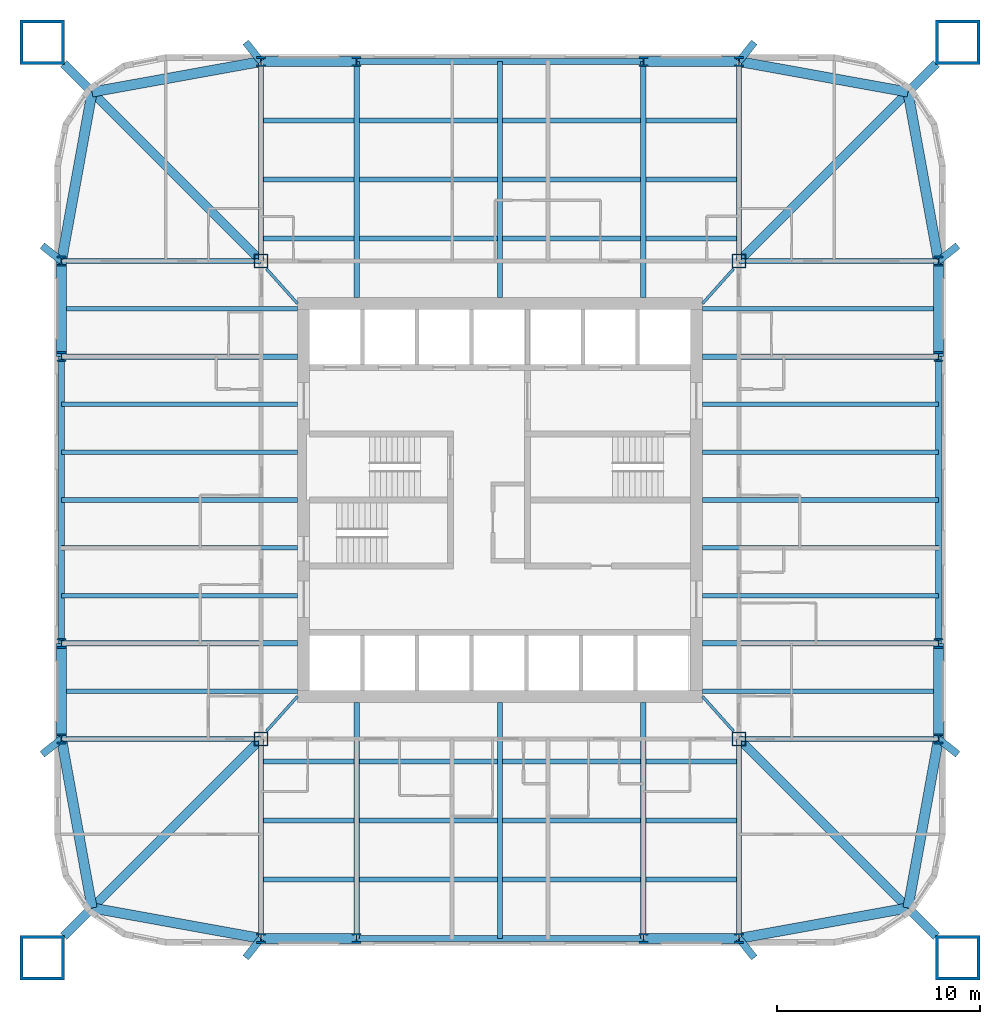
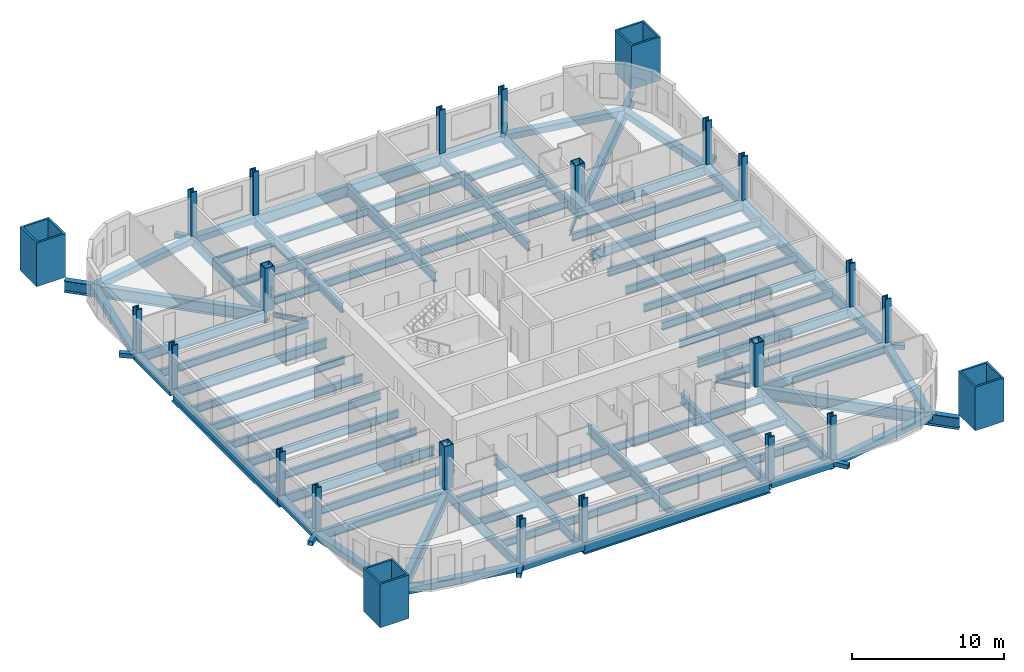
# One storey, part 1 of 9: 92 beams, 24 columns.
"""IFC4 building model written with IfcOpenShell, lengths in metres."""

from ifc_helpers import new_model, si_unit, direction, frame, origin, origin_2d, place, context, subcontext, project, spatial, hollow_rectangle, i_section, extrude, material, material_profile, profile_set, type_object, element, save


model = new_model("IFC4")

# Units and contexts
model_context = context("Model", 3, precision=1e-05, world=origin(), true_north=direction((0.0, 1.0)))
body_context = subcontext(model_context, "Body", "Model", "MODEL_VIEW")
ifc_project = project(units=[si_unit("LENGTHUNIT", "METRE"), si_unit("AREAUNIT", "SQUARE_METRE"), si_unit("VOLUMEUNIT", "CUBIC_METRE"), si_unit("PLANEANGLEUNIT", "RADIAN"), si_unit("MASSUNIT", "GRAM", prefix="KILO")], contexts=[model_context])

# Site, building, storey
site_placement = place(None, origin())
site = spatial("IfcSite", under=ifc_project, at=site_placement, CompositionType="ELEMENT")
building_placement = place(site_placement, origin())
building = spatial("IfcBuilding", under=site, at=building_placement, Name="Turquesa Mirador Hotel Tower", CompositionType="ELEMENT")
storey_placement = place(building_placement, frame((0.0, 0.0, 74.0)))
storey = spatial("IfcBuildingStorey", under=building, at=storey_placement, Name="L19", CompositionType="ELEMENT", Elevation=74.0)

# Columns
ifc_material_1 = material(Name="Steel ASTM A572 Grade 50", Category="steel")
ifc_material_profile_1 = material_profile(ifc_material_1, hollow_rectangle(XDim=0.699951171875, YDim=0.699951171875, WallThickness=0.06005859375, at=origin_2d()), Name="BOX700X700X60")
ifc_profile_set_1 = profile_set([ifc_material_profile_1], Name="Steel ASTM A572 Grade 50")
column_type_1 = type_object("IfcColumnType", Name="COLUMN BOX700X700X60", PredefinedType="COLUMN", material=ifc_profile_set_1)
for number, where, z_axis, x_axis, name in (
    (1, (43.199951171875, 33.199951171875, 0.0), (0.0, 0.0, 1.0), (1.0, 0.0, 0.0), "COL-L19-K--11.80--11.80"),
    (2, (43.199951171875, 56.800048828125, 0.0), (0.0, 0.0, 1.0), (1.0, 0.0, 0.0), "COL-L19-K--11.80-+11.80"),
    (3, (66.800048828125, 33.199951171875, 0.0), (0.0, 0.0, 1.0), (1.0, 0.0, 0.0), "COL-L19-K-+11.80--11.80"),
    (4, (66.800048828125, 56.800048828125, 0.0), (0.0, 0.0, 1.0), (1.0, 0.0, 0.0), "COL-L19-K-+11.80-+11.80"),
):
    element("IfcColumn", number, at=place(storey_placement, frame(where, z_axis=z_axis, x_axis=x_axis)), inside=storey, type_object=column_type_1, Name=name, PredefinedType="COLUMN", context=body_context, shape_type="SweptSolid", body=[
        extrude(hollow_rectangle(XDim=0.699951171875, YDim=0.699951171875, WallThickness=0.06005859375, at=origin_2d()), origin(), (0.0, 0.0, 1.0), 3.5),
    ])
ifc_material_2 = material(Name="Steel ASTM A992 Grade 50", Category="steel")
ifc_material_profile_2 = material_profile(ifc_material_2, i_section(OverallWidth=0.431884765625, OverallDepth=0.497802734375, WebThickness=0.0556640625, FlangeThickness=0.0888671875, at=origin_2d()), Name="W14X500")
ifc_profile_set_2 = profile_set([ifc_material_profile_2], Name="Steel ASTM A992 Grade 50")
column_type_2 = type_object("IfcColumnType", Name="COLUMN W14X500", PredefinedType="COLUMN", material=ifc_profile_set_2)
for number, where, z_axis, x_axis, name in (
    (5, (33.35009765625, 33.199951171875, 0.0), (0.0, 0.0, 1.0), (1.0, 0.0, 0.0), "COL-L19-P--21.65--11.80"),
    (6, (33.35009765625, 37.919921875, 0.0), (0.0, 0.0, 1.0), (1.0, 0.0, 0.0), "COL-L19-P--21.65--7.08"),
    (7, (33.35009765625, 52.080078125, 0.0), (0.0, 0.0, 1.0), (1.0, 0.0, 0.0), "COL-L19-P--21.65-+7.08"),
    (8, (33.35009765625, 56.800048828125, 0.0), (0.0, 0.0, 1.0), (1.0, 0.0, 0.0), "COL-L19-P--21.65-+11.80"),
    (9, (43.199951171875, 23.35009765625, 0.0), (0.0, 0.0, 1.0), (1.0, 0.0, 0.0), "COL-L19-P--11.80--21.65"),
    (10, (43.199951171875, 66.64990234375, 0.0), (0.0, 0.0, 1.0), (1.0, 0.0, 0.0), "COL-L19-P--11.80-+21.65"),
    (11, (47.919921875, 23.35009765625, 0.0), (0.0, 0.0, 1.0), (1.0, 0.0, 0.0), "COL-L19-P--7.08--21.65"),
    (12, (47.919921875, 66.64990234375, 0.0), (0.0, 0.0, 1.0), (1.0, 0.0, 0.0), "COL-L19-P--7.08-+21.65"),
    (13, (62.080078125, 23.35009765625, 0.0), (0.0, 0.0, 1.0), (1.0, 0.0, 0.0), "COL-L19-P-+7.08--21.65"),
    (14, (62.080078125, 66.64990234375, 0.0), (0.0, 0.0, 1.0), (1.0, 0.0, 0.0), "COL-L19-P-+7.08-+21.65"),
    (15, (66.800048828125, 23.35009765625, 0.0), (0.0, 0.0, 1.0), (1.0, 0.0, 0.0), "COL-L19-P-+11.80--21.65"),
    (16, (66.800048828125, 66.64990234375, 0.0), (0.0, 0.0, 1.0), (1.0, 0.0, 0.0), "COL-L19-P-+11.80-+21.65"),
    (17, (76.64990234375, 33.199951171875, 0.0), (0.0, 0.0, 1.0), (1.0, 0.0, 0.0), "COL-L19-P-+21.65--11.80"),
    (18, (76.64990234375, 37.919921875, 0.0), (0.0, 0.0, 1.0), (1.0, 0.0, 0.0), "COL-L19-P-+21.65--7.08"),
    (19, (76.64990234375, 52.080078125, 0.0), (0.0, 0.0, 1.0), (1.0, 0.0, 0.0), "COL-L19-P-+21.65-+7.08"),
    (20, (76.64990234375, 56.800048828125, 0.0), (0.0, 0.0, 1.0), (1.0, 0.0, 0.0), "COL-L19-P-+21.65-+11.80"),
):
    element("IfcColumn", number, at=place(storey_placement, frame(where, z_axis=z_axis, x_axis=x_axis)), inside=storey, type_object=column_type_2, Name=name, PredefinedType="COLUMN", context=body_context, shape_type="SweptSolid", body=[
        extrude(i_section(OverallWidth=0.431884765625, OverallDepth=0.497802734375, WebThickness=0.0556640625, FlangeThickness=0.0888671875, at=origin_2d()), origin(), (0.0, 0.0, 1.0), 3.5),
    ])
ifc_material_3 = material(Name="Steel ASTM A514 Grade Q", Category="steel")
ifc_material_profile_3 = material_profile(ifc_material_3, hollow_rectangle(XDim=2.199951171875, YDim=2.199951171875, WallThickness=0.14990234375, at=origin_2d()), Name="BOX2200X2200X150")
ifc_profile_set_3 = profile_set([ifc_material_profile_3], Name="Steel ASTM A514 Grade Q")
column_type_3 = type_object("IfcColumnType", Name="MEGA COLUMN BOX2200X2200X150", PredefinedType="COLUMN", material=ifc_profile_set_3)
for number, where, z_axis, x_axis, name in (
    (21, (77.60009765625, 67.60009765625, 0.0), (0.0, 0.0, 1.0), (1.0, 0.0, 0.0), "Mega column M1"),
    (22, (32.39990234375, 67.60009765625, 0.0), (0.0, 0.0, 1.0), (1.0, 0.0, 0.0), "Mega column M2"),
    (23, (32.39990234375, 22.39990234375, 0.0), (0.0, 0.0, 1.0), (1.0, 0.0, 0.0), "Mega column M3"),
    (24, (77.60009765625, 22.39990234375, 0.0), (0.0, 0.0, 1.0), (1.0, 0.0, 0.0), "Mega column M4"),
):
    element("IfcColumn", number, at=place(storey_placement, frame(where, z_axis=z_axis, x_axis=x_axis)), inside=storey, type_object=column_type_3, Name=name, PredefinedType="COLUMN", context=body_context, shape_type="SweptSolid", body=[
        extrude(hollow_rectangle(XDim=2.199951171875, YDim=2.199951171875, WallThickness=0.14990234375, at=origin_2d()), origin(), (0.0, 0.0, 1.0), 3.5),
    ])

# Beams
ifc_material_4 = material(Name="Steel ASTM A572 Grade 50", Category="steel")
ifc_material_profile_4 = material_profile(ifc_material_4, hollow_rectangle(XDim=0.5, YDim=0.5, WallThickness=0.01611328125, at=origin_2d()), Name="BOX500X500X16")
ifc_profile_set_4 = profile_set([ifc_material_profile_4], Name="Steel ASTM A572 Grade 50")
beam_type_1 = type_object("IfcBeamType", Name="BEAM BOX500X500X16", PredefinedType="BEAM", material=ifc_profile_set_4)
for number, where, z_axis, x_axis, name in (
    (25, (43.199951171875, 66.64990234375, -0.419921875), (1.0, 0.0, 0.0), (0.0, 1.0, 0.0), "EB-L19-N-L"),
    (26, (62.080078125, 66.64990234375, -0.419921875), (1.0, 0.0, 0.0), (0.0, 1.0, 0.0), "EB-L19-N-R"),
    (27, (43.199951171875, 23.35009765625, -0.419921875), (1.0, 0.0, 0.0), (0.0, 1.0, 0.0), "EB-L19-S-L"),
    (28, (62.080078125, 23.35009765625, -0.419921875), (1.0, 0.0, 0.0), (0.0, 1.0, 0.0), "EB-L19-S-R"),
    (29, (76.64990234375, 33.199951171875, -0.419921875), (0.0, 1.0, 0.0), (-1.0, 0.0, 0.0), "EB-L19-E-L"),
    (30, (76.64990234375, 52.080078125, -0.419921875), (0.0, 1.0, 0.0), (-1.0, 0.0, 0.0), "EB-L19-E-R"),
    (31, (33.35009765625, 33.199951171875, -0.419921875), (0.0, 1.0, 0.0), (-1.0, 0.0, 0.0), "EB-L19-W-L"),
    (32, (33.35009765625, 52.080078125, -0.419921875), (0.0, 1.0, 0.0), (-1.0, 0.0, 0.0), "EB-L19-W-R"),
):
    element("IfcBeam", number, at=place(storey_placement, frame(where, z_axis=z_axis, x_axis=x_axis)), inside=storey, type_object=beam_type_1, Name=name, PredefinedType="BEAM", context=body_context, shape_type="SweptSolid", body=[
        extrude(hollow_rectangle(XDim=0.5, YDim=0.5, WallThickness=0.01611328125, at=origin_2d()), origin(), (0.0, 0.0, 1.0), 4.719970703125),
    ])
for number, where, z_axis, x_axis, name in (
    (33, (76.64990234375, 56.800048828125, -0.419921875), (-0.177932387818, 0.984042715214, 0.0), (-0.984042715214, -0.177932387818, 0.0), "KE-L19-1-0"),
    (34, (75.1416015625, 65.1416015625, -0.419921875), (-0.984042715214, 0.177932387818, 0.0), (-0.177932387818, -0.984042715214, 0.0), "KE-L19-1-1"),
    (35, (33.35009765625, 56.800048828125, -0.419921875), (0.177932387818, 0.984042715214, 0.0), (-0.984042715214, 0.177932387818, 0.0), "KE-L19-2-0"),
    (36, (34.8583984375, 65.1416015625, -0.419921875), (0.984042715214, 0.177932387818, 0.0), (-0.177932387818, 0.984042715214, 0.0), "KE-L19-2-1"),
    (37, (33.35009765625, 33.199951171875, -0.419921875), (0.177932387818, -0.984042715214, 0.0), (0.984042715214, 0.177932387818, 0.0), "KE-L19-3-0"),
    (38, (34.8583984375, 24.8583984375, -0.419921875), (0.984042715214, -0.177932387818, 0.0), (0.177932387818, 0.984042715214, 0.0), "KE-L19-3-1"),
    (39, (76.64990234375, 33.199951171875, -0.419921875), (-0.177932387818, -0.984042715214, 0.0), (0.984042715214, -0.177932387818, 0.0), "KE-L19-4-0"),
    (40, (75.1416015625, 24.8583984375, -0.419921875), (-0.984042715214, -0.177932387818, 0.0), (0.177932387818, -0.984042715214, 0.0), "KE-L19-4-1"),
):
    element("IfcBeam", number, at=place(storey_placement, frame(where, z_axis=z_axis, x_axis=x_axis)), inside=storey, type_object=beam_type_1, Name=name, PredefinedType="BEAM", context=body_context, shape_type="SweptSolid", body=[
        extrude(hollow_rectangle(XDim=0.5, YDim=0.5, WallThickness=0.01611328125, at=origin_2d()), origin(), (0.0, 0.0, 1.0), 8.476806640625),
    ])
ifc_material_5 = material(Name="Steel ASTM A992 Grade 50", Category="steel")
ifc_material_profile_5 = material_profile(ifc_material_5, i_section(OverallWidth=0.140380859375, OverallDepth=0.40380859375, WebThickness=0.007080078125, FlangeThickness=0.01123046875, at=origin_2d()), Name="W16X31")
ifc_profile_set_5 = profile_set([ifc_material_profile_5], Name="Steel ASTM A992 Grade 50")
beam_type_2 = type_object("IfcBeamType", Name="BEAM W16X31", PredefinedType="BEAM", material=ifc_profile_set_5)
for number, where, z_axis, x_axis, name in (
    (41, (66.529541015625, 56.40966796875, -0.371826171875), (-0.666745084392, -0.745285846129, 0.0), (0.745285846129, -0.666745084392, 0.0), "KT-L19-1"),
    (42, (43.470458984375, 56.40966796875, -0.371826171875), (0.666745084392, -0.745285846129, 0.0), (0.745285846129, 0.666745084392, 0.0), "KT-L19-2"),
    (43, (43.470458984375, 33.59033203125, -0.371826171875), (0.666745084392, 0.745285846129, 0.0), (-0.745285846129, 0.666745084392, 0.0), "KT-L19-3"),
    (44, (66.529541015625, 33.59033203125, -0.371826171875), (-0.666745084392, 0.745285846129, 0.0), (-0.745285846129, -0.666745084392, 0.0), "KT-L19-4"),
):
    element("IfcBeam", number, at=place(storey_placement, frame(where, z_axis=z_axis, x_axis=x_axis)), inside=storey, type_object=beam_type_2, Name=name, PredefinedType="BEAM", context=body_context, shape_type="SweptSolid", body=[
        extrude(i_section(OverallWidth=0.140380859375, OverallDepth=0.40380859375, WebThickness=0.007080078125, FlangeThickness=0.01123046875, at=origin_2d()), origin(), (0.0, 0.0, 1.0), 2.2939453125),
    ])
ifc_material_6 = material(Name="Steel ASTM A992 Grade 50", Category="steel")
ifc_material_profile_6 = material_profile(ifc_material_6, i_section(OverallWidth=0.228271484375, OverallDepth=0.607177734375, WebThickness=0.01123046875, FlangeThickness=0.017333984375, at=origin_2d()), Name="W24X76")
ifc_profile_set_6 = profile_set([ifc_material_profile_6], Name="Steel ASTM A992 Grade 50")
beam_type_3 = type_object("IfcBeamType", Name="BEAM W24X76", PredefinedType="BEAM", material=ifc_profile_set_6)
beam_1_placement = place(storey_placement, frame((43.333251953125, 57.912109375, -0.4736328125), z_axis=(1.0, 0.0, 0.0), x_axis=(0.0, 1.0, 0.0)))
element("IfcBeam", 45, at=beam_1_placement, inside=storey, type_object=beam_type_3, Name="IB-L19-N-1-0", PredefinedType="BEAM", context=body_context, shape_type="SweptSolid", body=[
    extrude(i_section(OverallWidth=0.228271484375, OverallDepth=0.607177734375, WebThickness=0.01123046875, FlangeThickness=0.017333984375, at=origin_2d()), origin(), (0.0, 0.0, 1.0), 4.453369140625),
])
for number, where, z_axis, x_axis, name in (
    (46, (48.053466796875, 57.912109375, -0.4736328125), (1.0, 0.0, 0.0), (0.0, 1.0, 0.0), "IB-L19-N-1-1"),
    (47, (55.13330078125, 57.912109375, -0.4736328125), (1.0, 0.0, 0.0), (0.0, 1.0, 0.0), "IB-L19-N-1-2"),
):
    element("IfcBeam", number, at=place(storey_placement, frame(where, z_axis=z_axis, x_axis=x_axis)), inside=storey, type_object=beam_type_3, Name=name, PredefinedType="BEAM", context=body_context, shape_type="SweptSolid", body=[
        extrude(i_section(OverallWidth=0.228271484375, OverallDepth=0.607177734375, WebThickness=0.01123046875, FlangeThickness=0.017333984375, at=origin_2d()), origin(), (0.0, 0.0, 1.0), 6.813232421875),
    ])
for number, where, z_axis, x_axis, name in (
    (48, (62.21337890625, 57.912109375, -0.4736328125), (1.0, 0.0, 0.0), (0.0, 1.0, 0.0), "IB-L19-N-1-3"),
    (49, (43.333251953125, 60.824951171875, -0.4736328125), (1.0, 0.0, 0.0), (0.0, 1.0, 0.0), "IB-L19-N-2-0"),
):
    element("IfcBeam", number, at=place(storey_placement, frame(where, z_axis=z_axis, x_axis=x_axis)), inside=storey, type_object=beam_type_3, Name=name, PredefinedType="BEAM", context=body_context, shape_type="SweptSolid", body=[
        extrude(i_section(OverallWidth=0.228271484375, OverallDepth=0.607177734375, WebThickness=0.01123046875, FlangeThickness=0.017333984375, at=origin_2d()), origin(), (0.0, 0.0, 1.0), 4.453369140625),
    ])
for number, where, z_axis, x_axis, name in (
    (50, (48.053466796875, 60.824951171875, -0.4736328125), (1.0, 0.0, 0.0), (0.0, 1.0, 0.0), "IB-L19-N-2-1"),
    (51, (55.13330078125, 60.824951171875, -0.4736328125), (1.0, 0.0, 0.0), (0.0, 1.0, 0.0), "IB-L19-N-2-2"),
):
    element("IfcBeam", number, at=place(storey_placement, frame(where, z_axis=z_axis, x_axis=x_axis)), inside=storey, type_object=beam_type_3, Name=name, PredefinedType="BEAM", context=body_context, shape_type="SweptSolid", body=[
        extrude(i_section(OverallWidth=0.228271484375, OverallDepth=0.607177734375, WebThickness=0.01123046875, FlangeThickness=0.017333984375, at=origin_2d()), origin(), (0.0, 0.0, 1.0), 6.813232421875),
    ])
for number, where, z_axis, x_axis, name in (
    (52, (62.21337890625, 60.824951171875, -0.4736328125), (1.0, 0.0, 0.0), (0.0, 1.0, 0.0), "IB-L19-N-2-3"),
    (53, (43.333251953125, 63.737060546875, -0.4736328125), (1.0, 0.0, 0.0), (0.0, 1.0, 0.0), "IB-L19-N-3-0"),
):
    element("IfcBeam", number, at=place(storey_placement, frame(where, z_axis=z_axis, x_axis=x_axis)), inside=storey, type_object=beam_type_3, Name=name, PredefinedType="BEAM", context=body_context, shape_type="SweptSolid", body=[
        extrude(i_section(OverallWidth=0.228271484375, OverallDepth=0.607177734375, WebThickness=0.01123046875, FlangeThickness=0.017333984375, at=origin_2d()), origin(), (0.0, 0.0, 1.0), 4.453369140625),
    ])
for number, where, z_axis, x_axis, name in (
    (54, (48.053466796875, 63.737060546875, -0.4736328125), (1.0, 0.0, 0.0), (0.0, 1.0, 0.0), "IB-L19-N-3-1"),
    (55, (55.13330078125, 63.737060546875, -0.4736328125), (1.0, 0.0, 0.0), (0.0, 1.0, 0.0), "IB-L19-N-3-2"),
):
    element("IfcBeam", number, at=place(storey_placement, frame(where, z_axis=z_axis, x_axis=x_axis)), inside=storey, type_object=beam_type_3, Name=name, PredefinedType="BEAM", context=body_context, shape_type="SweptSolid", body=[
        extrude(i_section(OverallWidth=0.228271484375, OverallDepth=0.607177734375, WebThickness=0.01123046875, FlangeThickness=0.017333984375, at=origin_2d()), origin(), (0.0, 0.0, 1.0), 6.813232421875),
    ])
for number, where, z_axis, x_axis, name in (
    (56, (62.21337890625, 63.737060546875, -0.4736328125), (1.0, 0.0, 0.0), (0.0, 1.0, 0.0), "IB-L19-N-3-3"),
    (57, (43.333251953125, 32.087890625, -0.4736328125), (1.0, 0.0, 0.0), (0.0, 1.0, 0.0), "IB-L19-S-1-0"),
):
    element("IfcBeam", number, at=place(storey_placement, frame(where, z_axis=z_axis, x_axis=x_axis)), inside=storey, type_object=beam_type_3, Name=name, PredefinedType="BEAM", context=body_context, shape_type="SweptSolid", body=[
        extrude(i_section(OverallWidth=0.228271484375, OverallDepth=0.607177734375, WebThickness=0.01123046875, FlangeThickness=0.017333984375, at=origin_2d()), origin(), (0.0, 0.0, 1.0), 4.453369140625),
    ])
for number, where, z_axis, x_axis, name in (
    (58, (48.053466796875, 32.087890625, -0.4736328125), (1.0, 0.0, 0.0), (0.0, 1.0, 0.0), "IB-L19-S-1-1"),
    (59, (55.13330078125, 32.087890625, -0.4736328125), (1.0, 0.0, 0.0), (0.0, 1.0, 0.0), "IB-L19-S-1-2"),
):
    element("IfcBeam", number, at=place(storey_placement, frame(where, z_axis=z_axis, x_axis=x_axis)), inside=storey, type_object=beam_type_3, Name=name, PredefinedType="BEAM", context=body_context, shape_type="SweptSolid", body=[
        extrude(i_section(OverallWidth=0.228271484375, OverallDepth=0.607177734375, WebThickness=0.01123046875, FlangeThickness=0.017333984375, at=origin_2d()), origin(), (0.0, 0.0, 1.0), 6.813232421875),
    ])
for number, where, z_axis, x_axis, name in (
    (60, (62.21337890625, 32.087890625, -0.4736328125), (1.0, 0.0, 0.0), (0.0, 1.0, 0.0), "IB-L19-S-1-3"),
    (61, (43.333251953125, 29.175048828125, -0.4736328125), (1.0, 0.0, 0.0), (0.0, 1.0, 0.0), "IB-L19-S-2-0"),
):
    element("IfcBeam", number, at=place(storey_placement, frame(where, z_axis=z_axis, x_axis=x_axis)), inside=storey, type_object=beam_type_3, Name=name, PredefinedType="BEAM", context=body_context, shape_type="SweptSolid", body=[
        extrude(i_section(OverallWidth=0.228271484375, OverallDepth=0.607177734375, WebThickness=0.01123046875, FlangeThickness=0.017333984375, at=origin_2d()), origin(), (0.0, 0.0, 1.0), 4.453369140625),
    ])
for number, where, z_axis, x_axis, name in (
    (62, (48.053466796875, 29.175048828125, -0.4736328125), (1.0, 0.0, 0.0), (0.0, 1.0, 0.0), "IB-L19-S-2-1"),
    (63, (55.13330078125, 29.175048828125, -0.4736328125), (1.0, 0.0, 0.0), (0.0, 1.0, 0.0), "IB-L19-S-2-2"),
):
    element("IfcBeam", number, at=place(storey_placement, frame(where, z_axis=z_axis, x_axis=x_axis)), inside=storey, type_object=beam_type_3, Name=name, PredefinedType="BEAM", context=body_context, shape_type="SweptSolid", body=[
        extrude(i_section(OverallWidth=0.228271484375, OverallDepth=0.607177734375, WebThickness=0.01123046875, FlangeThickness=0.017333984375, at=origin_2d()), origin(), (0.0, 0.0, 1.0), 6.813232421875),
    ])
for number, where, z_axis, x_axis, name in (
    (64, (62.21337890625, 29.175048828125, -0.4736328125), (1.0, 0.0, 0.0), (0.0, 1.0, 0.0), "IB-L19-S-2-3"),
    (65, (43.333251953125, 26.262939453125, -0.4736328125), (1.0, 0.0, 0.0), (0.0, 1.0, 0.0), "IB-L19-S-3-0"),
):
    element("IfcBeam", number, at=place(storey_placement, frame(where, z_axis=z_axis, x_axis=x_axis)), inside=storey, type_object=beam_type_3, Name=name, PredefinedType="BEAM", context=body_context, shape_type="SweptSolid", body=[
        extrude(i_section(OverallWidth=0.228271484375, OverallDepth=0.607177734375, WebThickness=0.01123046875, FlangeThickness=0.017333984375, at=origin_2d()), origin(), (0.0, 0.0, 1.0), 4.453369140625),
    ])
for number, where, z_axis, x_axis, name in (
    (66, (48.053466796875, 26.262939453125, -0.4736328125), (1.0, 0.0, 0.0), (0.0, 1.0, 0.0), "IB-L19-S-3-1"),
    (67, (55.13330078125, 26.262939453125, -0.4736328125), (1.0, 0.0, 0.0), (0.0, 1.0, 0.0), "IB-L19-S-3-2"),
):
    element("IfcBeam", number, at=place(storey_placement, frame(where, z_axis=z_axis, x_axis=x_axis)), inside=storey, type_object=beam_type_3, Name=name, PredefinedType="BEAM", context=body_context, shape_type="SweptSolid", body=[
        extrude(i_section(OverallWidth=0.228271484375, OverallDepth=0.607177734375, WebThickness=0.01123046875, FlangeThickness=0.017333984375, at=origin_2d()), origin(), (0.0, 0.0, 1.0), 6.813232421875),
    ])
beam_2_placement = place(storey_placement, frame((62.21337890625, 26.262939453125, -0.4736328125), z_axis=(1.0, 0.0, 0.0), x_axis=(0.0, 1.0, 0.0)))
element("IfcBeam", 68, at=beam_2_placement, inside=storey, type_object=beam_type_3, Name="IB-L19-S-3-3", PredefinedType="BEAM", context=body_context, shape_type="SweptSolid", body=[
    extrude(i_section(OverallWidth=0.228271484375, OverallDepth=0.607177734375, WebThickness=0.01123046875, FlangeThickness=0.017333984375, at=origin_2d()), origin(), (0.0, 0.0, 1.0), 4.453369140625),
])
for number, where, z_axis, x_axis, name in (
    (69, (76.64990234375, 35.56005859375, -0.4736328125), (-1.0, 0.0, 0.0), (0.0, -1.0, 0.0), "BM-L19-E--9.44"),
    (70, (76.64990234375, 40.280029296875, -0.4736328125), (-1.0, 0.0, 0.0), (0.0, -1.0, 0.0), "BM-L19-E--4.72"),
    (71, (76.64990234375, 42.639892578125, -0.4736328125), (-1.0, 0.0, 0.0), (0.0, -1.0, 0.0), "BM-L19-E--2.36"),
    (72, (76.64990234375, 45.0, -0.4736328125), (-1.0, 0.0, 0.0), (0.0, -1.0, 0.0), "BM-L19-E-+0.00"),
    (73, (76.64990234375, 47.360107421875, -0.4736328125), (-1.0, 0.0, 0.0), (0.0, -1.0, 0.0), "BM-L19-E-+2.36"),
    (74, (76.64990234375, 49.719970703125, -0.4736328125), (-1.0, 0.0, 0.0), (0.0, -1.0, 0.0), "BM-L19-E-+4.72"),
    (75, (76.64990234375, 54.43994140625, -0.4736328125), (-1.0, 0.0, 0.0), (0.0, -1.0, 0.0), "BM-L19-E-+9.44"),
    (76, (33.35009765625, 35.56005859375, -0.4736328125), (1.0, 0.0, 0.0), (0.0, 1.0, 0.0), "BM-L19-W--9.44"),
    (77, (33.35009765625, 40.280029296875, -0.4736328125), (1.0, 0.0, 0.0), (0.0, 1.0, 0.0), "BM-L19-W--4.72"),
    (78, (33.35009765625, 42.639892578125, -0.4736328125), (1.0, 0.0, 0.0), (0.0, 1.0, 0.0), "BM-L19-W--2.36"),
    (79, (33.35009765625, 45.0, -0.4736328125), (1.0, 0.0, 0.0), (0.0, 1.0, 0.0), "BM-L19-W-+0.00"),
    (80, (33.35009765625, 47.360107421875, -0.4736328125), (1.0, 0.0, 0.0), (0.0, 1.0, 0.0), "BM-L19-W-+2.36"),
    (81, (33.35009765625, 49.719970703125, -0.4736328125), (1.0, 0.0, 0.0), (0.0, 1.0, 0.0), "BM-L19-W-+4.72"),
    (82, (33.35009765625, 54.43994140625, -0.4736328125), (1.0, 0.0, 0.0), (0.0, 1.0, 0.0), "BM-L19-W-+9.44"),
):
    element("IfcBeam", number, at=place(storey_placement, frame(where, z_axis=z_axis, x_axis=x_axis)), inside=storey, type_object=beam_type_3, Name=name, PredefinedType="BEAM", context=body_context, shape_type="SweptSolid", body=[
        extrude(i_section(OverallWidth=0.228271484375, OverallDepth=0.607177734375, WebThickness=0.01123046875, FlangeThickness=0.017333984375, at=origin_2d()), origin(), (0.0, 0.0, 1.0), 11.64990234375),
    ])
ifc_material_7 = material(Name="Steel ASTM A992 Grade 50", Category="steel")
ifc_material_profile_7 = material_profile(ifc_material_7, i_section(OverallWidth=0.2666015625, OverallDepth=0.7568359375, WebThickness=0.013916015625, FlangeThickness=0.019287109375, at=origin_2d()), Name="W30X108")
ifc_profile_set_7 = profile_set([ifc_material_profile_7], Name="Steel ASTM A992 Grade 50")
beam_type_4 = type_object("IfcBeamType", Name="BEAM W30X108", PredefinedType="BEAM", material=ifc_profile_set_7)
for number, where, z_axis, x_axis, name in (
    (83, (47.919921875, 66.64990234375, -0.54833984375), (0.0, -1.0, 0.0), (1.0, 0.0, 0.0), "GD-L19-N--7.08"),
    (84, (62.080078125, 66.64990234375, -0.54833984375), (0.0, -1.0, 0.0), (1.0, 0.0, 0.0), "GD-L19-N-+7.08"),
    (85, (55.0, 66.64990234375, -0.54833984375), (0.0, -1.0, 0.0), (1.0, 0.0, 0.0), "GD-L19-N-+0.00"),
):
    element("IfcBeam", number, at=place(storey_placement, frame(where, z_axis=z_axis, x_axis=x_axis)), inside=storey, type_object=beam_type_4, Name=name, PredefinedType="BEAM", context=body_context, shape_type="SweptSolid", body=[
        extrude(i_section(OverallWidth=0.2666015625, OverallDepth=0.7568359375, WebThickness=0.013916015625, FlangeThickness=0.019287109375, at=origin_2d()), origin(), (0.0, 0.0, 1.0), 11.64990234375),
    ])
for number, where, z_axis, x_axis, name in (
    (86, (43.199951171875, 66.64990234375, -0.54833984375), (0.0, -1.0, 0.0), (1.0, 0.0, 0.0), "GK-L19-N--11.80"),
    (87, (66.800048828125, 66.64990234375, -0.54833984375), (0.0, -1.0, 0.0), (1.0, 0.0, 0.0), "GK-L19-N-+11.80"),
):
    element("IfcBeam", number, at=place(storey_placement, frame(where, z_axis=z_axis, x_axis=x_axis)), inside=storey, type_object=beam_type_4, Name=name, PredefinedType="BEAM", context=body_context, shape_type="SweptSolid", body=[
        extrude(i_section(OverallWidth=0.2666015625, OverallDepth=0.7568359375, WebThickness=0.013916015625, FlangeThickness=0.019287109375, at=origin_2d()), origin(), (0.0, 0.0, 1.0), 9.849853515625),
    ])
for number, where, z_axis, x_axis, name in (
    (88, (47.919921875, 23.35009765625, -0.54833984375), (0.0, 1.0, 0.0), (-1.0, 0.0, 0.0), "GD-L19-S--7.08"),
    (89, (62.080078125, 23.35009765625, -0.54833984375), (0.0, 1.0, 0.0), (-1.0, 0.0, 0.0), "GD-L19-S-+7.08"),
    (90, (55.0, 23.35009765625, -0.54833984375), (0.0, 1.0, 0.0), (-1.0, 0.0, 0.0), "GD-L19-S-+0.00"),
):
    element("IfcBeam", number, at=place(storey_placement, frame(where, z_axis=z_axis, x_axis=x_axis)), inside=storey, type_object=beam_type_4, Name=name, PredefinedType="BEAM", context=body_context, shape_type="SweptSolid", body=[
        extrude(i_section(OverallWidth=0.2666015625, OverallDepth=0.7568359375, WebThickness=0.013916015625, FlangeThickness=0.019287109375, at=origin_2d()), origin(), (0.0, 0.0, 1.0), 11.64990234375),
    ])
for number, where, z_axis, x_axis, name in (
    (91, (43.199951171875, 23.35009765625, -0.54833984375), (0.0, 1.0, 0.0), (-1.0, 0.0, 0.0), "GK-L19-S--11.80"),
    (92, (66.800048828125, 23.35009765625, -0.54833984375), (0.0, 1.0, 0.0), (-1.0, 0.0, 0.0), "GK-L19-S-+11.80"),
):
    element("IfcBeam", number, at=place(storey_placement, frame(where, z_axis=z_axis, x_axis=x_axis)), inside=storey, type_object=beam_type_4, Name=name, PredefinedType="BEAM", context=body_context, shape_type="SweptSolid", body=[
        extrude(i_section(OverallWidth=0.2666015625, OverallDepth=0.7568359375, WebThickness=0.013916015625, FlangeThickness=0.019287109375, at=origin_2d()), origin(), (0.0, 0.0, 1.0), 9.849853515625),
    ])
for number, where, z_axis, x_axis, name in (
    (93, (76.64990234375, 37.919921875, -0.54833984375), (-1.0, 0.0, 0.0), (0.0, -1.0, 0.0), "GD-L19-E--7.08"),
    (94, (76.64990234375, 52.080078125, -0.54833984375), (-1.0, 0.0, 0.0), (0.0, -1.0, 0.0), "GD-L19-E-+7.08"),
):
    element("IfcBeam", number, at=place(storey_placement, frame(where, z_axis=z_axis, x_axis=x_axis)), inside=storey, type_object=beam_type_4, Name=name, PredefinedType="BEAM", context=body_context, shape_type="SweptSolid", body=[
        extrude(i_section(OverallWidth=0.2666015625, OverallDepth=0.7568359375, WebThickness=0.013916015625, FlangeThickness=0.019287109375, at=origin_2d()), origin(), (0.0, 0.0, 1.0), 11.64990234375),
    ])
for number, where, z_axis, x_axis, name in (
    (95, (76.64990234375, 33.199951171875, -0.54833984375), (-1.0, 0.0, 0.0), (0.0, -1.0, 0.0), "GK-L19-E--11.80"),
    (96, (76.64990234375, 56.800048828125, -0.54833984375), (-1.0, 0.0, 0.0), (0.0, -1.0, 0.0), "GK-L19-E-+11.80"),
):
    element("IfcBeam", number, at=place(storey_placement, frame(where, z_axis=z_axis, x_axis=x_axis)), inside=storey, type_object=beam_type_4, Name=name, PredefinedType="BEAM", context=body_context, shape_type="SweptSolid", body=[
        extrude(i_section(OverallWidth=0.2666015625, OverallDepth=0.7568359375, WebThickness=0.013916015625, FlangeThickness=0.019287109375, at=origin_2d()), origin(), (0.0, 0.0, 1.0), 9.849853515625),
    ])
for number, where, z_axis, x_axis, name in (
    (97, (33.35009765625, 37.919921875, -0.54833984375), (1.0, 0.0, 0.0), (0.0, 1.0, 0.0), "GD-L19-W--7.08"),
    (98, (33.35009765625, 52.080078125, -0.54833984375), (1.0, 0.0, 0.0), (0.0, 1.0, 0.0), "GD-L19-W-+7.08"),
):
    element("IfcBeam", number, at=place(storey_placement, frame(where, z_axis=z_axis, x_axis=x_axis)), inside=storey, type_object=beam_type_4, Name=name, PredefinedType="BEAM", context=body_context, shape_type="SweptSolid", body=[
        extrude(i_section(OverallWidth=0.2666015625, OverallDepth=0.7568359375, WebThickness=0.013916015625, FlangeThickness=0.019287109375, at=origin_2d()), origin(), (0.0, 0.0, 1.0), 11.64990234375),
    ])
for number, where, z_axis, x_axis, name in (
    (99, (33.35009765625, 33.199951171875, -0.54833984375), (1.0, 0.0, 0.0), (0.0, 1.0, 0.0), "GK-L19-W--11.80"),
    (100, (33.35009765625, 56.800048828125, -0.54833984375), (1.0, 0.0, 0.0), (0.0, 1.0, 0.0), "GK-L19-W-+11.80"),
):
    element("IfcBeam", number, at=place(storey_placement, frame(where, z_axis=z_axis, x_axis=x_axis)), inside=storey, type_object=beam_type_4, Name=name, PredefinedType="BEAM", context=body_context, shape_type="SweptSolid", body=[
        extrude(i_section(OverallWidth=0.2666015625, OverallDepth=0.7568359375, WebThickness=0.013916015625, FlangeThickness=0.019287109375, at=origin_2d()), origin(), (0.0, 0.0, 1.0), 9.849853515625),
    ])
ifc_material_8 = material(Name="Steel ASTM A992 Grade 50", Category="steel")
ifc_material_profile_8 = material_profile(ifc_material_8, i_section(OverallWidth=0.3046875, OverallDepth=0.911865234375, WebThickness=0.015869140625, FlangeThickness=0.02392578125, at=origin_2d()), Name="W36X150")
ifc_profile_set_8 = profile_set([ifc_material_profile_8], Name="Steel ASTM A992 Grade 50")
beam_type_5 = type_object("IfcBeamType", Name="BEAM W36X150", PredefinedType="BEAM", material=ifc_profile_set_8)
for number, where, z_axis, x_axis, name in (
    (101, (47.919921875, 66.64990234375, -0.6259765625), (1.0, 0.0, 0.0), (0.0, 1.0, 0.0), "EB-L19-N-C"),
    (102, (47.919921875, 23.35009765625, -0.6259765625), (1.0, 0.0, 0.0), (0.0, 1.0, 0.0), "EB-L19-S-C"),
    (103, (76.64990234375, 37.919921875, -0.6259765625), (0.0, 1.0, 0.0), (-1.0, 0.0, 0.0), "EB-L19-E-C"),
    (104, (33.35009765625, 37.919921875, -0.6259765625), (0.0, 1.0, 0.0), (-1.0, 0.0, 0.0), "EB-L19-W-C"),
):
    element("IfcBeam", number, at=place(storey_placement, frame(where, z_axis=z_axis, x_axis=x_axis)), inside=storey, type_object=beam_type_5, Name=name, PredefinedType="BEAM", context=body_context, shape_type="SweptSolid", body=[
        extrude(i_section(OverallWidth=0.3046875, OverallDepth=0.911865234375, WebThickness=0.015869140625, FlangeThickness=0.02392578125, at=origin_2d()), origin(), (0.0, 0.0, 1.0), 14.16015625),
    ])
ifc_material_9 = material(Name="Steel ASTM A992 Grade 50", Category="steel")
ifc_material_profile_9 = material_profile(ifc_material_9, i_section(OverallWidth=0.419189453125, OverallDepth=0.927001953125, WebThickness=0.019287109375, FlangeThickness=0.031982421875, at=origin_2d()), Name="W36X231")
ifc_profile_set_9 = profile_set([ifc_material_profile_9], Name="Steel ASTM A992 Grade 50")
beam_type_6 = type_object("IfcBeamType", Name="BEAM W36X231", PredefinedType="BEAM", material=ifc_profile_set_9)
for number, where, z_axis, x_axis, name in (
    (105, (66.800048828125, 56.800048828125, -0.633544921875), (0.707106781187, 0.707106781187, 0.0), (-0.707106781187, 0.707106781187, 0.0), "KD-L19-1"),
    (106, (43.199951171875, 56.800048828125, -0.633544921875), (-0.707106781187, 0.707106781187, 0.0), (-0.707106781187, -0.707106781187, 0.0), "KD-L19-2"),
    (107, (43.199951171875, 33.199951171875, -0.633544921875), (-0.707106781187, -0.707106781187, 0.0), (0.707106781187, -0.707106781187, 0.0), "KD-L19-3"),
    (108, (66.800048828125, 33.199951171875, -0.633544921875), (0.707106781187, -0.707106781187, 0.0), (0.707106781187, 0.707106781187, 0.0), "KD-L19-4"),
):
    element("IfcBeam", number, at=place(storey_placement, frame(where, z_axis=z_axis, x_axis=x_axis)), inside=storey, type_object=beam_type_6, Name=name, PredefinedType="BEAM", context=body_context, shape_type="SweptSolid", body=[
        extrude(i_section(OverallWidth=0.419189453125, OverallDepth=0.927001953125, WebThickness=0.019287109375, FlangeThickness=0.031982421875, at=origin_2d()), origin(), (0.0, 0.0, 1.0), 13.78857421875),
    ])
ifc_material_10 = material(Name="Steel ASTM A500 Grade C", Category="steel")
ifc_material_profile_10 = material_profile(ifc_material_10, hollow_rectangle(XDim=0.355712890625, YDim=0.355712890625, WallThickness=0.0146484375, at=origin_2d()), Name="HSS14X14X5/8")
ifc_profile_set_10 = profile_set([ifc_material_profile_10], Name="Steel ASTM A500 Grade C")
beam_type_7 = type_object("IfcBeamType", Name="BRACE STRUT HSS14X14X5/8", PredefinedType="BEAM", material=ifc_profile_set_10)
for number, where, z_axis, x_axis, name in (
    (109, (67.5556640625, 67.60009765625, -0.347900390625), (-0.622411588545, -0.782690113931, 0.0), (0.782690113931, -0.622411588545, 0.0), "Brace strut"),
    (110, (42.4443359375, 67.60009765625, -0.347900390625), (0.622411588545, -0.782690113931, 0.0), (0.782690113931, 0.622411588545, 0.0), "Brace strut"),
    (111, (67.5556640625, 22.39990234375, -0.347900390625), (-0.622411588545, 0.782690113931, 0.0), (-0.782690113931, -0.622411588545, 0.0), "Brace strut"),
    (112, (42.4443359375, 22.39990234375, -0.347900390625), (0.622411588545, 0.782690113931, 0.0), (-0.782690113931, 0.622411588545, 0.0), "Brace strut"),
    (113, (77.60009765625, 57.5556640625, -0.347900390625), (-0.782690113931, -0.622411588545, 0.0), (0.622411588545, -0.782690113931, 0.0), "Brace strut"),
    (114, (77.60009765625, 32.4443359375, -0.347900390625), (-0.782690113931, 0.622411588545, 0.0), (-0.622411588545, -0.782690113931, 0.0), "Brace strut"),
    (115, (32.39990234375, 57.5556640625, -0.347900390625), (0.782690113931, -0.622411588545, 0.0), (0.622411588545, 0.782690113931, 0.0), "Brace strut"),
    (116, (32.39990234375, 32.4443359375, -0.347900390625), (0.782690113931, 0.622411588545, 0.0), (-0.622411588545, 0.782690113931, 0.0), "Brace strut"),
):
    element("IfcBeam", number, at=place(storey_placement, frame(where, z_axis=z_axis, x_axis=x_axis)), inside=storey, type_object=beam_type_7, Name=name, PredefinedType="BEAM", context=body_context, shape_type="SweptSolid", body=[
        extrude(hollow_rectangle(XDim=0.355712890625, YDim=0.355712890625, WallThickness=0.0146484375, at=origin_2d()), origin(), (0.0, 0.0, 1.0), 1.214111328125),
    ])

save(model, "model.ifc")
